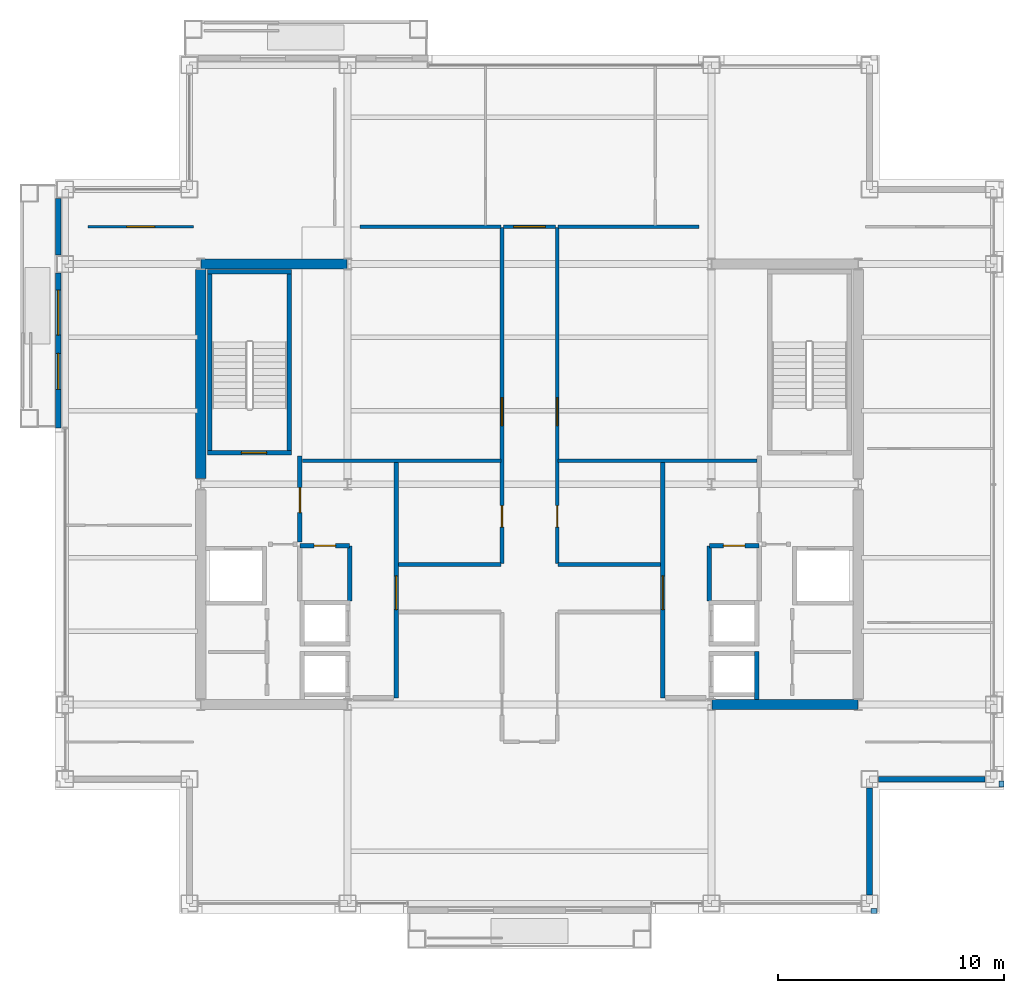
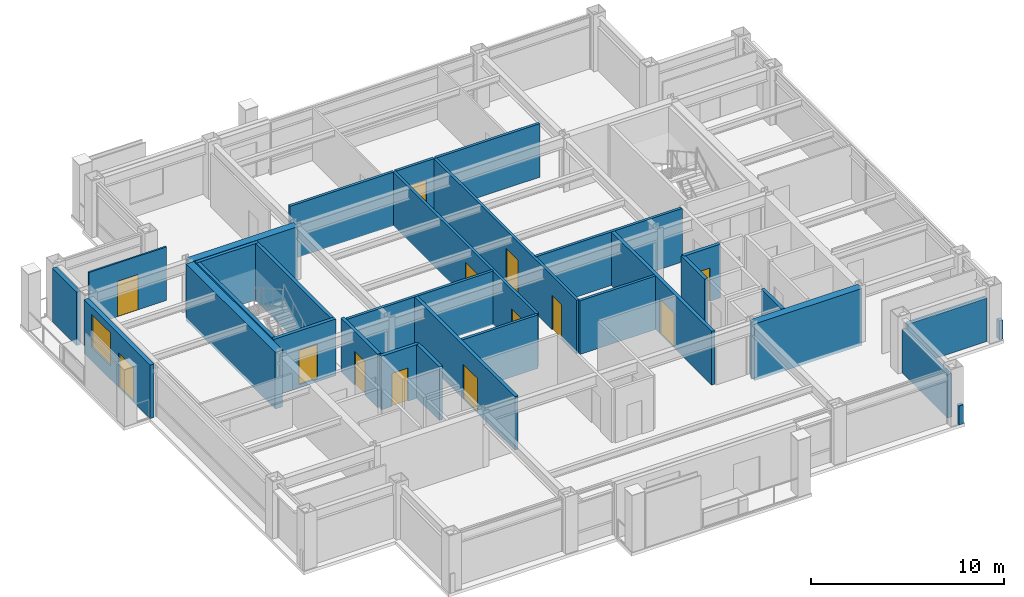
# One storey, part 24 of 28: 31 walls, 13 doors, 1 window, 14 openings.
"""IFC4 building model written with IfcOpenShell, lengths in metres."""

import ifcopenshell
import ifcopenshell.guid

model = None  # the IFC model being written
_history = None  # IfcOwnerHistory: only IFC2X3 demands one
_inside = {}  # id of a spatial element -> (the spatial element, [elements in it])
_under = {}  # id of a project, library or spatial element -> (it, [spatial elements below it])
_declared = {}  # id of a project -> (the project, [libraries it declares])
_typed = {}  # id of a type object -> (the type object, [elements of that type])
_made_of = {}  # id of a material, layer set ... -> (it, [elements and type objects made of it])


def new_model(schema):
    """Start an empty IFC model of exactly this schema.

    Asked for "IFC4X3", IfcOpenShell would pick the latest addendum, in which some entities
    have other attributes; the version numbers below select the first issue.
    IFC2X3 requires an IfcOwnerHistory on every rooted entity: one is made here for all.
    """
    global model, _history
    if schema == "IFC4X3":
        model = ifcopenshell.file(schema_version=(4, 3, 0, 0))
    else:
        model = ifcopenshell.file(schema=schema)
    _inside.clear()
    _under.clear()
    _declared.clear()
    _typed.clear()
    _made_of.clear()
    _history = None
    if model.schema == "IFC2X3":
        org = make("IfcOrganization", Name="unknown")
        user = make(
            "IfcPersonAndOrganization",
            ThePerson=make("IfcPerson", FamilyName="unknown"),
            TheOrganization=org,
        )
        app = make(
            "IfcApplication",
            ApplicationDeveloper=org,
            Version="unknown",
            ApplicationFullName="unknown",
            ApplicationIdentifier="unknown",
        )
        _history = make(
            "IfcOwnerHistory",
            OwningUser=user,
            OwningApplication=app,
            ChangeAction="ADDED",
            CreationDate=0,
        )
    return model


def make(cls, **values):
    """One entity of the class cls with the attributes given. An attribute that is None is left unset."""
    return model.create_entity(
        cls, **{name: value for name, value in values.items() if value is not None}
    )


def rooted(cls, **values):
    """An entity with a GlobalId (a new one), such as an element, a storey or a relation."""
    return make(cls, GlobalId=ifcopenshell.guid.new(), OwnerHistory=_history, **values)


def si_unit(unit_type, name, prefix=None):
    """IfcSIUnit, for example si_unit("LENGTHUNIT", "METRE", prefix="MILLI")."""
    return make("IfcSIUnit", UnitType=unit_type, Prefix=prefix, Name=name)


def assignment(units):
    """IfcUnitAssignment: the units of a project."""
    return None if units is None else make("IfcUnitAssignment", Units=units)


def point(xyz):
    """IfcCartesianPoint."""
    return None if xyz is None else make("IfcCartesianPoint", Coordinates=xyz)


def direction(xyz):
    """IfcDirection."""
    return None if xyz is None else make("IfcDirection", DirectionRatios=xyz)


def frame(location, z_axis=None, x_axis=None):
    """IfcAxis2Placement3D, a coordinate frame: its origin and axes. An axis left out is left unset."""
    return make(
        "IfcAxis2Placement3D",
        Location=point(location),
        Axis=direction(z_axis),
        RefDirection=direction(x_axis),
    )


def frame_2d(location, x_axis=None):
    """IfcAxis2Placement2D, a coordinate frame in the plane: its origin and x axis."""
    return make(
        "IfcAxis2Placement2D", Location=point(location), RefDirection=direction(x_axis)
    )


def origin():
    """The frame at (0, 0, 0) with its axes left unset."""
    return frame((0.0, 0.0, 0.0))


def place(relative_to, where):
    """IfcLocalPlacement: puts the frame where relative to a parent placement (None: the world)."""
    return make(
        "IfcLocalPlacement", PlacementRelTo=relative_to, RelativePlacement=where
    )


def context(
    kind, dimensions, precision=None, world=None, true_north=None, identifier=None
):
    """IfcGeometricRepresentationContext, for example the 3D "Model" context."""
    return make(
        "IfcGeometricRepresentationContext",
        ContextIdentifier=identifier,
        ContextType=kind,
        CoordinateSpaceDimension=dimensions,
        Precision=precision,
        WorldCoordinateSystem=world,
        TrueNorth=true_north,
    )


def subcontext(parent, identifier, kind, view, scale=None):
    """IfcGeometricRepresentationSubContext, for example "Body" below "Model"."""
    return make(
        "IfcGeometricRepresentationSubContext",
        ContextIdentifier=identifier,
        ContextType=kind,
        ParentContext=parent,
        TargetScale=scale,
        TargetView=view,
    )


def project(units=None, contexts=None):
    """IfcProject with its units and contexts."""
    return rooted(
        "IfcProject",
        Name="project",
        RepresentationContexts=contexts,
        UnitsInContext=assignment(units),
    )


def spatial(cls, under=None, at=None, **own):
    """A site, building, storey or space (cls), placed at a placement, below another one or the project."""
    s = rooted(cls, ObjectPlacement=at, **own)
    if under is not None:
        _under.setdefault(under.id(), (under, []))[1].append(s)
    return s


def profile(cls, at=None, kind="AREA", **sizes):
    """A parametric profile (cls). Its sizes go by their IFC names, for example OverallWidth=200.0."""
    return make(cls, ProfileType=kind, Position=at, **sizes)


def rectangle(**sizes):
    """IfcRectangleProfileDef."""
    return profile("IfcRectangleProfileDef", **sizes)


def extrude(swept, where, along, depth):
    """IfcExtrudedAreaSolid: the profile swept, set in the frame where, extruded along a direction by depth."""
    return make(
        "IfcExtrudedAreaSolid",
        SweptArea=swept,
        Position=where,
        ExtrudedDirection=direction(along),
        Depth=depth,
    )


def shape(context_of_items, identifier, shape_type, items):
    """IfcShapeRepresentation: the items that make up one representation, for example the "Body"."""
    return make(
        "IfcShapeRepresentation",
        ContextOfItems=context_of_items,
        RepresentationIdentifier=identifier,
        RepresentationType=shape_type,
        Items=items,
    )


def material(Name=None, Category=None):
    """IfcMaterial."""
    return make("IfcMaterial", Name=Name, Category=Category)


def layer(
    of_material, thickness, ventilated=None, Name=None, Category=None, Priority=None
):
    """IfcMaterialLayer: one layer of a wall or slab, of a material (None: an air gap)."""
    return make(
        "IfcMaterialLayer",
        Material=of_material,
        LayerThickness=thickness,
        IsVentilated=ventilated,
        Name=Name,
        Category=Category,
        Priority=Priority,
    )


def layer_set(layers, Name=None):
    """IfcMaterialLayerSet."""
    return make("IfcMaterialLayerSet", MaterialLayers=layers, LayerSetName=Name)


def made_of(thing, what):
    """Note that an element or type object is made of a material, layer set ...; save() writes the relation."""
    if what is not None:
        _made_of.setdefault(what.id(), (what, []))[1].append(thing)
    return thing


def type_object(cls, material=None, **own):
    """A type object (cls), such as IfcWallType, which elements share."""
    return made_of(rooted(cls, **own), material)


def element(
    cls,
    number,
    at=None,
    inside=None,
    cuts=None,
    type_object=None,
    material=None,
    context=None,
    identifier="Body",
    shape_type=None,
    held_by="IfcProductDefinitionShape",
    body=None,
    shapes=None,
    **own,
):
    """One element of the class cls, such as IfcWall. Its Tag is "e" and its number.

    at: its placement. inside: the storey or other place that contains it. cuts: it is an
    opening in that element (IfcRelVoidsElement). A single representation is given by context,
    identifier, shape_type and body (its items); several are given by shapes. held_by: the class
    of the entity that holds the representations. save() writes the other relations.
    """
    e = rooted(cls, Tag="e%d" % number, ObjectPlacement=at, **own)
    if body is not None:
        shapes = [shape(context, identifier, shape_type, body)]
    if shapes is not None:
        e.Representation = make(held_by, Representations=shapes)
    if inside is not None:
        _inside.setdefault(inside.id(), (inside, []))[1].append(e)
    if cuts is not None:
        rooted(
            "IfcRelVoidsElement", RelatingBuildingElement=cuts, RelatedOpeningElement=e
        )
    if type_object is not None:
        _typed.setdefault(type_object.id(), (type_object, []))[1].append(e)
    return made_of(e, material)


def fill(opening, filler):
    """IfcRelFillsElement: the door or window that sits in an opening."""
    return rooted(
        "IfcRelFillsElement",
        RelatingOpeningElement=opening,
        RelatedBuildingElement=filler,
    )


def aggregate(whole, parts):
    """IfcRelAggregates: a whole, such as a stair, and the parts it consists of."""
    return rooted("IfcRelAggregates", RelatingObject=whole, RelatedObjects=parts)


def save(model, path):
    """Write the relations noted so far, then the file.

    IfcRelAggregates (storeys below a building ...), IfcRelContainedInSpatialStructure (elements
    in a storey), IfcRelDefinesByType, IfcRelAssociatesMaterial and IfcRelDeclares: one each for
    every whole, place, type object, material and project.
    """
    for whole, parts in _under.values():
        aggregate(whole, parts)
    for where, things in _inside.values():
        rooted(
            "IfcRelContainedInSpatialStructure",
            RelatedElements=things,
            RelatingStructure=where,
        )
    for kind, things in _typed.values():
        rooted("IfcRelDefinesByType", RelatedObjects=things, RelatingType=kind)
    for what, things in _made_of.values():
        rooted("IfcRelAssociatesMaterial", RelatedObjects=things, RelatingMaterial=what)
    for by, libraries in _declared.values():
        rooted("IfcRelDeclares", RelatingContext=by, RelatedDefinitions=libraries)
    model.write(path)


model = new_model("IFC4")

# Units and contexts
model_context = context("Model", 3, precision=1e-05, world=origin(), true_north=direction((0.0, 1.0)))
body_context = subcontext(model_context, "Body", "Model", "MODEL_VIEW")
ifc_project = project(units=[si_unit("LENGTHUNIT", "METRE"), si_unit("AREAUNIT", "SQUARE_METRE"), si_unit("VOLUMEUNIT", "CUBIC_METRE"), si_unit("PLANEANGLEUNIT", "RADIAN"), si_unit("MASSUNIT", "GRAM", prefix="KILO")], contexts=[model_context])

# Site, building, storey
site_placement = place(None, origin())
site = spatial("IfcSite", under=ifc_project, at=site_placement, CompositionType="ELEMENT")
building_placement = place(site_placement, origin())
building = spatial("IfcBuilding", under=site, at=building_placement, Name="Brelmoor Portico Tower", CompositionType="ELEMENT")
storey_placement = place(building_placement, frame((0.0, 0.0, 165.89990234375)))
storey = spatial("IfcBuildingStorey", under=building, at=storey_placement, Name="L43", CompositionType="ELEMENT", Elevation=165.89990234375)

# Walls
ifc_material_1 = material(Name="Concrete C50", Category="concrete")
ifc_layer_1 = layer(ifc_material_1, 0.449951171875)
ifc_layer_set_1 = layer_set([ifc_layer_1], Name="Concrete C50")
wall_type_1 = type_object("IfcWallType", Name="WL-CORE-450", PredefinedType="SHEAR", material=ifc_layer_set_1)
wall_1_placement = place(storey_placement, frame((-14.530029296875, 9.75, -0.199951171875), z_axis=(0.0, 0.0, 1.0), x_axis=(1.0, 0.0, 0.0)))
element("IfcWall", 1, at=wall_1_placement, inside=storey, type_object=wall_type_1, Name="L43 WC North Shear Wall", PredefinedType="SHEAR", context=body_context, shape_type="SweptSolid", body=[
    extrude(rectangle(XDim=6.4599609375, YDim=0.449951171875, at=frame_2d((3.22998046875, 0.0))), origin(), (0.0, 0.0, 1.0), 3.60009765625),
])
wall_2_placement = place(storey_placement, frame((-14.550048828125, 0.25, -0.199951171875), z_axis=(0.0, 0.0, 1.0), x_axis=(0.0, 1.0, 0.0)))
element("IfcWall", 2, at=wall_2_placement, inside=storey, type_object=wall_type_1, Name="L43 WC Outer North Shear Wall", PredefinedType="SHEAR", context=body_context, shape_type="SweptSolid", body=[
    extrude(rectangle(XDim=9.25, YDim=0.449951171875, at=frame_2d((4.625, 0.0))), origin(), (0.0, 0.0, 1.0), 3.60009765625),
])
wall_3_placement = place(storey_placement, frame((8.070068359375, -9.75, -0.199951171875), z_axis=(0.0, 0.0, 1.0), x_axis=(1.0, 0.0, 0.0)))
element("IfcWall", 3, at=wall_3_placement, inside=storey, type_object=wall_type_1, Name="L43 EC South Shear Wall", PredefinedType="SHEAR", context=body_context, shape_type="SweptSolid", body=[
    extrude(rectangle(XDim=6.4599609375, YDim=0.449951171875, at=frame_2d((3.22998046875, 0.0))), origin(), (0.0, 0.0, 1.0), 3.60009765625),
])

# Wall, openings, door, window
ifc_material_2 = material(Name="Precast Concrete C40 Insulated Facade Wall", Category="concrete")
ifc_layer_2 = layer(ifc_material_2, 0.25)
ifc_layer_set_2 = layer_set([ifc_layer_2], Name="Precast Concrete C40 Insulated Facade Wall")
wall_type_2 = type_object("IfcWallType", Name="WL-EXT-250", PredefinedType="STANDARD", material=ifc_layer_set_2)
wall_4_placement = place(storey_placement, frame((-20.860107421875, 2.5, 0.0), z_axis=(0.0, 0.0, 1.0), x_axis=(0.0, 1.0, 0.0)))
wall_4 = element("IfcWall", 4, at=wall_4_placement, inside=storey, type_object=wall_type_2, Name="L43 Loggia Threshold Wall W-1", PredefinedType="STANDARD", context=body_context, shape_type="SweptSolid", body=[
    extrude(rectangle(XDim=6.85498046875, YDim=0.25, at=frame_2d((3.427490234375, 0.0))), origin(), (0.0, 0.0, 1.0), 3.400146484375),
])
opening_1_placement = place(wall_4_placement, frame((1.699951171875, 0.0, 0.0)))
opening_1 = element("IfcOpeningElement", 5, at=opening_1_placement, cuts=wall_4, Name="Opening D-TB1", PredefinedType="OPENING", context=body_context, shape_type="SweptSolid", body=[
    extrude(rectangle(XDim=1.60009765625, YDim=2.199951171875, at=frame_2d((0.800048828125, 1.10009765625))), frame((0.0, 0.135009765625, 0.0), z_axis=(0.0, -1.0, 0.0), x_axis=(1.0, 0.0, 0.0)), (0.0, 0.0, 1.0), 0.27001953125),
])
opening_2_placement = place(wall_4_placement, frame((4.10009765625, 0.0, 0.85009765625)))
opening_2 = element("IfcOpeningElement", 6, at=opening_2_placement, cuts=wall_4, Name="Opening W-03", PredefinedType="OPENING", context=body_context, shape_type="SweptSolid", body=[
    extrude(rectangle(XDim=2.0, YDim=2.10009765625, at=frame_2d((1.0, 1.050048828125))), frame((0.0, 0.135009765625, 0.0), z_axis=(0.0, -1.0, 0.0), x_axis=(1.0, 0.0, 0.0)), (0.0, 0.0, 1.0), 0.27001953125),
])
ifc_material_3 = material(Name="Double-Leaf Thermally Broken Terrace Door", Category="aluminium")
door_type_1 = type_object("IfcDoorType", Name="DR-BALCONY-1600", OperationType="NOTDEFINED", PredefinedType="DOOR", material=ifc_material_3)
door_1_placement = place(opening_1_placement, origin())
door_1 = element("IfcDoor", 7, at=door_1_placement, inside=storey, type_object=door_type_1, Name="D-1852 L43 Tree Balcony Double Door W", OperationType="DOUBLE_DOOR_SINGLE_SWING", OverallHeight=2.199951171875, OverallWidth=1.60009765625, PredefinedType="DOOR", context=body_context, shape_type="SweptSolid", body=[
    extrude(rectangle(XDim=1.60009765625, YDim=2.199951171875, at=frame_2d((0.800048828125, 1.10009765625))), frame((0.0, 0.02490234375, 0.0), z_axis=(0.0, -1.0, 0.0), x_axis=(1.0, 0.0, 0.0)), (0.0, 0.0, 1.0), 0.050048828125),
])
fill(opening_1, door_1)
ifc_material_4 = material(Name="Thermally Broken Aluminium Low-E Window", Category="aluminium")
window_type = type_object("IfcWindowType", Name="WN-LOGGIA-2000x2100", PartitioningType="SINGLE_PANEL", PredefinedType="WINDOW", material=ifc_material_4)
window_placement = place(opening_2_placement, origin())
window = element("IfcWindow", 8, at=window_placement, inside=storey, type_object=window_type, Name="L43 Loggia Window W", OverallHeight=2.10009765625, OverallWidth=2.0, PartitioningType="SINGLE_PANEL", PredefinedType="WINDOW", context=body_context, shape_type="SweptSolid", body=[
    extrude(rectangle(XDim=2.0, YDim=2.10009765625, at=frame_2d((1.0, 1.050048828125))), frame((0.0, 0.030029296875, 0.0), z_axis=(0.0, -1.0, 0.0), x_axis=(1.0, 0.0, 0.0)), (0.0, 0.0, 1.0), 0.06005859375),
])
fill(opening_2, window)

# Walls
wall_5_placement = place(storey_placement, frame((-20.860107421875, 10.14501953125, 0.0), z_axis=(0.0, 0.0, 1.0), x_axis=(0.0, 1.0, 0.0)))
element("IfcWall", 9, at=wall_5_placement, inside=storey, type_object=wall_type_2, Name="L43 Loggia Threshold Wall W-2", PredefinedType="STANDARD", context=body_context, shape_type="SweptSolid", body=[
    extrude(rectangle(XDim=2.510009765625, YDim=0.25, at=frame_2d((1.2548828125, 0.0))), origin(), (0.0, 0.0, 1.0), 3.400146484375),
])
for number, where, z_axis, x_axis, name in (
    (10, (15.43505859375, -13.050048828125, 0.0), (0.0, 0.0, 1.0), (1.0, 0.0, 0.0), "L43 Corner Notch Facade Wall NSEH1"),
    (11, (15.050048828125, -18.1650390625, 0.0), (0.0, 0.0, 1.0), (0.0, 1.0, 0.0), "L43 Corner Notch Facade Wall NSEV1"),
):
    element("IfcWall", number, at=place(storey_placement, frame(where, z_axis=z_axis, x_axis=x_axis)), inside=storey, type_object=wall_type_2, Name=name, PredefinedType="STANDARD", context=body_context, shape_type="SweptSolid", body=[
        extrude(rectangle(XDim=4.72998046875, YDim=0.25, at=frame_2d((2.364990234375, 0.0))), origin(), (0.0, 0.0, 1.0), 2.75),
    ])
ifc_material_5 = material(Name="Concrete C40 Parapet Upstand", Category="concrete")
ifc_layer_3 = layer(ifc_material_5, 0.219970703125)
ifc_layer_set_3 = layer_set([ifc_layer_3], Name="Concrete C40 Parapet Upstand")
wall_type_3 = type_object("IfcWallType", Name="WL-PARAPET-220", PredefinedType="PARAPET", material=ifc_layer_set_3)
for number, where, z_axis, x_axis, name in (
    (12, (15.1201171875, -18.889892578125, 0.0), (0.0, 0.0, 1.0), (1.0, 0.0, 0.0), "L43 Chamfer Vertex Parapet Pier SE1"),
    (13, (20.889892578125, -13.389892578125, 0.0), (0.0, 0.0, 1.0), (0.0, 1.0, 0.0), "L43 Chamfer Vertex Parapet Pier SE2"),
):
    element("IfcWall", number, at=place(storey_placement, frame(where, z_axis=z_axis, x_axis=x_axis)), inside=storey, type_object=wall_type_3, Name=name, PredefinedType="PARAPET", context=body_context, shape_type="SweptSolid", body=[
        extrude(rectangle(XDim=0.269775390625, YDim=0.219970703125, at=frame_2d((0.134765625, 0.0))), origin(), (0.0, 0.0, 1.0), 1.2001953125),
    ])

# Wall, opening, door
ifc_material_6 = material(Name="Demountable Glazed Office Partition", Category="aluminium")
ifc_layer_4 = layer(ifc_material_6, 0.10009765625)
ifc_layer_set_4 = layer_set([ifc_layer_4], Name="Demountable Glazed Office Partition")
wall_type_4 = type_object("IfcWallType", Name="WL-PART-100", PredefinedType="PARTITIONING", material=ifc_layer_set_4)
wall_6_placement = place(storey_placement, frame((-19.550048828125, 11.39990234375, 0.0), z_axis=(0.0, 0.0, 1.0), x_axis=(1.0, 0.0, 0.0)))
wall_6 = element("IfcWall", 14, at=wall_6_placement, inside=storey, type_object=wall_type_4, Name="L43 North Wing Suite Wall WL", PredefinedType="PARTITIONING", context=body_context, shape_type="SweptSolid", body=[
    extrude(rectangle(XDim=4.670166015625, YDim=0.10009765625, at=frame_2d((2.3349609375, 0.0))), origin(), (0.0, 0.0, 1.0), 3.400146484375),
])
opening_3_placement = place(wall_6_placement, frame((1.715087890625, 0.0, 0.0)))
opening_3 = element("IfcOpeningElement", 15, at=opening_3_placement, cuts=wall_6, Name="Opening D-SU1", PredefinedType="OPENING", context=body_context, shape_type="SweptSolid", body=[
    extrude(rectangle(XDim=1.239990234375, YDim=2.239990234375, at=frame_2d((0.6201171875, 1.1201171875))), frame((0.0, 0.06005859375, 0.0), z_axis=(0.0, -1.0, 0.0), x_axis=(1.0, 0.0, 0.0)), (0.0, 0.0, 1.0), 0.1201171875),
])
ifc_material_7 = material(Name="Glazed Timber Executive Suite Door", Category="wood")
door_type_2 = type_object("IfcDoorType", Name="DR-SUITE-1200", OperationType="NOTDEFINED", PredefinedType="DOOR", material=ifc_material_7)
door_2_placement = place(opening_3_placement, origin())
door_2 = element("IfcDoor", 16, at=door_2_placement, inside=storey, type_object=door_type_2, Name="D-1844 L43 WL Wing Suite Connecting Door", OperationType="SINGLE_SWING_RIGHT", OverallHeight=2.239990234375, OverallWidth=1.239990234375, PredefinedType="DOOR", context=body_context, shape_type="SweptSolid", body=[
    extrude(rectangle(XDim=1.239990234375, YDim=2.239990234375, at=frame_2d((0.6201171875, 1.1201171875))), frame((0.0, 0.02490234375, 0.0), z_axis=(0.0, -1.0, 0.0), x_axis=(1.0, 0.0, 0.0)), (0.0, 0.0, 1.0), 0.050048828125),
])
fill(opening_3, door_2)

# Wall
ifc_material_8 = material(Name="Twin-Frame Acoustic Partition", Category="gypsum")
ifc_layer_5 = layer(ifc_material_8, 0.159912109375)
ifc_layer_set_5 = layer_set([ifc_layer_5], Name="Twin-Frame Acoustic Partition")
wall_type_5 = type_object("IfcWallType", Name="WL-PART-160", PredefinedType="PARTITIONING", material=ifc_layer_set_5)
wall_7_placement = place(storey_placement, frame((-10.050048828125, 1.050048828125, 0.0), z_axis=(0.0, 0.0, 1.0), x_axis=(1.0, 0.0, 0.0)))
element("IfcWall", 17, at=wall_7_placement, inside=storey, type_object=wall_type_5, Name="L43 West Reclaimed Suite South Wall", PredefinedType="PARTITIONING", context=body_context, shape_type="SweptSolid", body=[
    extrude(rectangle(XDim=8.7900390625, YDim=0.159912109375, at=frame_2d((4.39501953125, 0.0))), origin(), (0.0, 0.0, 1.0), 3.400146484375),
])

# Wall, openings, doors
wall_8_placement = place(storey_placement, frame((-1.219970703125, -3.5, 0.0), z_axis=(0.0, 0.0, 1.0), x_axis=(0.0, 1.0, 0.0)))
wall_8 = element("IfcWall", 18, at=wall_8_placement, inside=storey, type_object=wall_type_5, Name="L43 Central Cross West Wall", PredefinedType="PARTITIONING", context=body_context, shape_type="SweptSolid", body=[
    extrude(rectangle(XDim=14.860107421875, YDim=0.159912109375, at=frame_2d((7.43017578125, 0.0))), origin(), (0.0, 0.0, 1.0), 3.400146484375),
])
opening_4_placement = place(wall_8_placement, frame((6.10009765625, 0.0, 0.0)))
opening_4 = element("IfcOpeningElement", 19, at=opening_4_placement, cuts=wall_8, Name="Opening D-SU1", PredefinedType="OPENING", context=body_context, shape_type="SweptSolid", body=[
    extrude(rectangle(XDim=1.239990234375, YDim=2.239990234375, at=frame_2d((0.6201171875, 1.1201171875))), frame((0.0, 0.08984375, 0.0), z_axis=(0.0, -1.0, 0.0), x_axis=(1.0, 0.0, 0.0)), (0.0, 0.0, 1.0), 0.179931640625),
])
opening_5_placement = place(wall_8_placement, frame((1.60009765625, 0.0, 0.0)))
opening_5 = element("IfcOpeningElement", 20, at=opening_5_placement, cuts=wall_8, Name="Opening D-IN2", PredefinedType="OPENING", context=body_context, shape_type="SweptSolid", body=[
    extrude(rectangle(XDim=0.9599609375, YDim=2.179931640625, at=frame_2d((0.47998046875, 1.08984375))), frame((0.0, 0.08984375, 0.0), z_axis=(0.0, -1.0, 0.0), x_axis=(1.0, 0.0, 0.0)), (0.0, 0.0, 1.0), 0.179931640625),
])
ifc_material_9 = material(Name="Lacquered Timber Suite Door", Category="wood")
door_type_3 = type_object("IfcDoorType", Name="DR-INT-950", OperationType="NOTDEFINED", PredefinedType="DOOR", material=ifc_material_9)
door_3_placement = place(opening_5_placement, origin())
door_3 = element("IfcDoor", 21, at=door_3_placement, inside=storey, type_object=door_type_3, Name="D-1825 L43 Staff Pantry Door", OperationType="SINGLE_SWING_RIGHT", OverallHeight=2.179931640625, OverallWidth=0.9599609375, PredefinedType="DOOR", context=body_context, shape_type="SweptSolid", body=[
    extrude(rectangle(XDim=0.9599609375, YDim=2.179931640625, at=frame_2d((0.47998046875, 1.08984375))), frame((0.0, 0.02490234375, 0.0), z_axis=(0.0, -1.0, 0.0), x_axis=(1.0, 0.0, 0.0)), (0.0, 0.0, 1.0), 0.050048828125),
])
fill(opening_5, door_3)
door_4_placement = place(opening_4_placement, origin())
door_4 = element("IfcDoor", 22, at=door_4_placement, inside=storey, type_object=door_type_2, Name="D-1826 L43 West Reclaimed Studio Door", OperationType="SINGLE_SWING_LEFT", OverallHeight=2.239990234375, OverallWidth=1.239990234375, PredefinedType="DOOR", context=body_context, shape_type="SweptSolid", body=[
    extrude(rectangle(XDim=1.239990234375, YDim=2.239990234375, at=frame_2d((0.6201171875, 1.1201171875))), frame((0.0, 0.02490234375, 0.0), z_axis=(0.0, -1.0, 0.0), x_axis=(1.0, 0.0, 0.0)), (0.0, 0.0, 1.0), 0.050048828125),
])
fill(opening_4, door_4)

# Walls
wall_9_placement = place(storey_placement, frame((-7.5, 11.39990234375, 0.0), z_axis=(0.0, 0.0, 1.0), x_axis=(1.0, 0.0, 0.0)))
element("IfcWall", 23, at=wall_9_placement, inside=storey, type_object=wall_type_5, Name="L43 West Reclaimed Suite North Wall", PredefinedType="PARTITIONING", context=body_context, shape_type="SweptSolid", body=[
    extrude(rectangle(XDim=6.239990234375, YDim=0.159912109375, at=frame_2d((3.1201171875, 0.0))), origin(), (0.0, 0.0, 1.0), 3.400146484375),
])
wall_10_placement = place(storey_placement, frame((-5.800048828125, -3.550048828125, 0.0), z_axis=(0.0, 0.0, 1.0), x_axis=(1.0, 0.0, 0.0)))
element("IfcWall", 24, at=wall_10_placement, inside=storey, type_object=wall_type_5, Name="L43 West Pantry South Wall", PredefinedType="PARTITIONING", context=body_context, shape_type="SweptSolid", body=[
    extrude(rectangle(XDim=4.5400390625, YDim=0.159912109375, at=frame_2d((2.27001953125, 0.0))), origin(), (0.0, 0.0, 1.0), 3.400146484375),
])
wall_11_placement = place(storey_placement, frame((1.260009765625, 1.050048828125, 0.0), z_axis=(0.0, 0.0, 1.0), x_axis=(1.0, 0.0, 0.0)))
element("IfcWall", 25, at=wall_11_placement, inside=storey, type_object=wall_type_5, Name="L43 East Suite South Wall", PredefinedType="PARTITIONING", context=body_context, shape_type="SweptSolid", body=[
    extrude(rectangle(XDim=8.800048828125, YDim=0.159912109375, at=frame_2d((4.39990234375, 0.0))), origin(), (0.0, 0.0, 1.0), 3.400146484375),
])

# Wall, openings, doors
wall_12_placement = place(storey_placement, frame((1.219970703125, -3.5, 0.0), z_axis=(0.0, 0.0, 1.0), x_axis=(0.0, 1.0, 0.0)))
wall_12 = element("IfcWall", 26, at=wall_12_placement, inside=storey, type_object=wall_type_5, Name="L43 Central Cross East Wall", PredefinedType="PARTITIONING", context=body_context, shape_type="SweptSolid", body=[
    extrude(rectangle(XDim=14.860107421875, YDim=0.159912109375, at=frame_2d((7.43017578125, 0.0))), origin(), (0.0, 0.0, 1.0), 3.400146484375),
])
opening_6_placement = place(wall_12_placement, frame((6.10009765625, 0.0, 0.0)))
opening_6 = element("IfcOpeningElement", 27, at=opening_6_placement, cuts=wall_12, Name="Opening D-SU1", PredefinedType="OPENING", context=body_context, shape_type="SweptSolid", body=[
    extrude(rectangle(XDim=1.239990234375, YDim=2.239990234375, at=frame_2d((0.6201171875, 1.1201171875))), frame((0.0, 0.08984375, 0.0), z_axis=(0.0, -1.0, 0.0), x_axis=(1.0, 0.0, 0.0)), (0.0, 0.0, 1.0), 0.179931640625),
])
opening_7_placement = place(wall_12_placement, frame((1.60009765625, 0.0, 0.0)))
opening_7 = element("IfcOpeningElement", 28, at=opening_7_placement, cuts=wall_12, Name="Opening D-IN2", PredefinedType="OPENING", context=body_context, shape_type="SweptSolid", body=[
    extrude(rectangle(XDim=0.9599609375, YDim=2.179931640625, at=frame_2d((0.47998046875, 1.08984375))), frame((0.0, 0.08984375, 0.0), z_axis=(0.0, -1.0, 0.0), x_axis=(1.0, 0.0, 0.0)), (0.0, 0.0, 1.0), 0.179931640625),
])
door_5_placement = place(opening_7_placement, origin())
door_5 = element("IfcDoor", 29, at=door_5_placement, inside=storey, type_object=door_type_3, Name="D-1821 L43 Client Project Office Door", OperationType="SINGLE_SWING_RIGHT", OverallHeight=2.179931640625, OverallWidth=0.9599609375, PredefinedType="DOOR", context=body_context, shape_type="SweptSolid", body=[
    extrude(rectangle(XDim=0.9599609375, YDim=2.179931640625, at=frame_2d((0.47998046875, 1.08984375))), frame((0.0, 0.02490234375, 0.0), z_axis=(0.0, -1.0, 0.0), x_axis=(1.0, 0.0, 0.0)), (0.0, 0.0, 1.0), 0.050048828125),
])
fill(opening_7, door_5)
door_6_placement = place(opening_6_placement, origin())
door_6 = element("IfcDoor", 30, at=door_6_placement, inside=storey, type_object=door_type_2, Name="D-1822 L43 East Reclaimed Studio Door", OperationType="SINGLE_SWING_LEFT", OverallHeight=2.239990234375, OverallWidth=1.239990234375, PredefinedType="DOOR", context=body_context, shape_type="SweptSolid", body=[
    extrude(rectangle(XDim=1.239990234375, YDim=2.239990234375, at=frame_2d((0.6201171875, 1.1201171875))), frame((0.0, 0.02490234375, 0.0), z_axis=(0.0, -1.0, 0.0), x_axis=(1.0, 0.0, 0.0)), (0.0, 0.0, 1.0), 0.050048828125),
])
fill(opening_6, door_6)

# Walls
wall_13_placement = place(storey_placement, frame((1.260009765625, 11.39990234375, 0.0), z_axis=(0.0, 0.0, 1.0), x_axis=(1.0, 0.0, 0.0)))
element("IfcWall", 31, at=wall_13_placement, inside=storey, type_object=wall_type_5, Name="L43 East Suite North Wall", PredefinedType="PARTITIONING", context=body_context, shape_type="SweptSolid", body=[
    extrude(rectangle(XDim=6.239990234375, YDim=0.159912109375, at=frame_2d((3.1201171875, 0.0))), origin(), (0.0, 0.0, 1.0), 3.400146484375),
])
wall_14_placement = place(storey_placement, frame((1.260009765625, -3.550048828125, 0.0), z_axis=(0.0, 0.0, 1.0), x_axis=(1.0, 0.0, 0.0)))
element("IfcWall", 32, at=wall_14_placement, inside=storey, type_object=wall_type_5, Name="L43 East Office South Wall", PredefinedType="PARTITIONING", context=body_context, shape_type="SweptSolid", body=[
    extrude(rectangle(XDim=4.5400390625, YDim=0.159912109375, at=frame_2d((2.27001953125, 0.0))), origin(), (0.0, 0.0, 1.0), 3.400146484375),
])

# Wall, opening, door
wall_15_placement = place(storey_placement, frame((-1.14990234375, 11.39990234375, 0.0), z_axis=(0.0, 0.0, 1.0), x_axis=(1.0, 0.0, 0.0)))
wall_15 = element("IfcWall", 33, at=wall_15_placement, inside=storey, type_object=wall_type_5, Name="L43 North Corridor Partition", PredefinedType="PARTITIONING", context=body_context, shape_type="SweptSolid", body=[
    extrude(rectangle(XDim=2.2998046875, YDim=0.159912109375, at=frame_2d((1.14990234375, 0.0))), origin(), (0.0, 0.0, 1.0), 3.400146484375),
])
opening_8_placement = place(wall_15_placement, frame((0.449951171875, 0.0, 0.0)))
opening_8 = element("IfcOpeningElement", 34, at=opening_8_placement, cuts=wall_15, Name="Opening D-SU2", PredefinedType="OPENING", context=body_context, shape_type="SweptSolid", body=[
    extrude(rectangle(XDim=1.39990234375, YDim=2.199951171875, at=frame_2d((0.699951171875, 1.10009765625))), frame((0.0, 0.08984375, 0.0), z_axis=(0.0, -1.0, 0.0), x_axis=(1.0, 0.0, 0.0)), (0.0, 0.0, 1.0), 0.179931640625),
])
ifc_material_10 = material(Name="Double-Leaf Acoustic Suite Door", Category="timber")
door_type_4 = type_object("IfcDoorType", Name="DR-SUITE-1400", OperationType="NOTDEFINED", PredefinedType="DOOR", material=ifc_material_10)
door_7_placement = place(opening_8_placement, origin())
door_7 = element("IfcDoor", 35, at=door_7_placement, inside=storey, type_object=door_type_4, Name="D-1839 L43 North Open-Plan Office 3 Door", OperationType="DOUBLE_DOOR_SINGLE_SWING", OverallHeight=2.199951171875, OverallWidth=1.39990234375, PredefinedType="DOOR", context=body_context, shape_type="SweptSolid", body=[
    extrude(rectangle(XDim=1.39990234375, YDim=2.199951171875, at=frame_2d((0.699951171875, 1.10009765625))), frame((0.0, 0.02490234375, 0.0), z_axis=(0.0, -1.0, 0.0), x_axis=(1.0, 0.0, 0.0)), (0.0, 0.0, 1.0), 0.050048828125),
])
fill(opening_8, door_7)

ifc_material_11 = material(Name="Double-Stud Gypsum Fire Partition", Category="gypsum")
ifc_layer_6 = layer(ifc_material_11, 0.199951171875)
ifc_layer_set_6 = layer_set([ifc_layer_6], Name="Double-Stud Gypsum Fire Partition")
wall_type_6 = type_object("IfcWallType", Name="WL-PART-200", PredefinedType="PARTITIONING", material=ifc_layer_set_6)
wall_16_placement = place(storey_placement, frame((-5.89990234375, -9.449951171875, 0.0), z_axis=(0.0, 0.0, 1.0), x_axis=(0.0, 1.0, 0.0)))
wall_16 = element("IfcWall", 36, at=wall_16_placement, inside=storey, type_object=wall_type_6, Name="L43 W Core Lobby Compartment Wall", PredefinedType="PARTITIONING", context=body_context, shape_type="SweptSolid", body=[
    extrude(rectangle(XDim=10.5, YDim=0.199951171875, at=frame_2d((5.25, 0.0))), origin(), (0.0, 0.0, 1.0), 3.400146484375),
])
opening_9_placement = place(wall_16_placement, frame((3.89990234375, 0.0, 0.0)))
opening_9 = element("IfcOpeningElement", 37, at=opening_9_placement, cuts=wall_16, Name="Opening D-LB1", PredefinedType="OPENING", context=body_context, shape_type="SweptSolid", body=[
    extrude(rectangle(XDim=1.5, YDim=2.199951171875, at=frame_2d((0.75, 1.10009765625))), frame((0.0, 0.10986328125, 0.0), z_axis=(0.0, -1.0, 0.0), x_axis=(1.0, 0.0, 0.0)), (0.0, 0.0, 1.0), 0.219970703125),
])
ifc_material_12 = material(Name="Double-Leaf Glazed Steel Fire Door", Category="steel")
door_type_5 = type_object("IfcDoorType", Name="DR-LOBBY-1500", OperationType="NOTDEFINED", PredefinedType="DOOR", material=ifc_material_12)
door_8_placement = place(opening_9_placement, origin())
door_8 = element("IfcDoor", 38, at=door_8_placement, inside=storey, type_object=door_type_5, Name="D-1838 L43 W Lift Lobby Main Door", OperationType="DOUBLE_DOOR_SINGLE_SWING", OverallHeight=2.199951171875, OverallWidth=1.5, PredefinedType="DOOR", context=body_context, shape_type="SweptSolid", body=[
    extrude(rectangle(XDim=1.5, YDim=2.199951171875, at=frame_2d((0.75, 1.10009765625))), frame((0.0, 0.02490234375, 0.0), z_axis=(0.0, -1.0, 0.0), x_axis=(1.0, 0.0, 0.0)), (0.0, 0.0, 1.0), 0.050048828125),
])
fill(opening_9, door_8)

wall_17_placement = place(storey_placement, frame((-10.159912109375, -2.550048828125, 0.0), z_axis=(0.0, 0.0, 1.0), x_axis=(0.0, 1.0, 0.0)))
wall_17 = element("IfcWall", 39, at=wall_17_placement, inside=storey, type_object=wall_type_6, Name="L43 W Firefighting Lobby Wall", PredefinedType="PARTITIONING", context=body_context, shape_type="SweptSolid", body=[
    extrude(rectangle(XDim=3.800048828125, YDim=0.199951171875, at=frame_2d((1.89990234375, 0.0))), origin(), (0.0, 0.0, 1.0), 3.400146484375),
])
opening_10_placement = place(wall_17_placement, frame((1.300048828125, 0.0, 0.0)))
opening_10 = element("IfcOpeningElement", 40, at=opening_10_placement, cuts=wall_17, Name="Opening D-FR1", PredefinedType="OPENING", context=body_context, shape_type="SweptSolid", body=[
    extrude(rectangle(XDim=1.10009765625, YDim=2.14990234375, at=frame_2d((0.550048828125, 1.074951171875))), frame((0.0, 0.10986328125, 0.0), z_axis=(0.0, -1.0, 0.0), x_axis=(1.0, 0.0, 0.0)), (0.0, 0.0, 1.0), 0.219970703125),
])
ifc_material_13 = material(Name="Painted Galvanised Steel Fire Door", Category="steel")
door_type_6 = type_object("IfcDoorType", Name="DR-FIRE-1100", OperationType="NOTDEFINED", PredefinedType="DOOR", material=ifc_material_13)
door_9_placement = place(opening_10_placement, origin())
door_9 = element("IfcDoor", 41, at=door_9_placement, inside=storey, type_object=door_type_6, Name="D-1836 L43 W Firefighting Lobby Door", OperationType="SINGLE_SWING_LEFT", OverallHeight=2.14990234375, OverallWidth=1.10009765625, PredefinedType="DOOR", context=body_context, shape_type="SweptSolid", body=[
    extrude(rectangle(XDim=1.10009765625, YDim=2.14990234375, at=frame_2d((0.550048828125, 1.074951171875))), frame((0.0, 0.02490234375, 0.0), z_axis=(0.0, -1.0, 0.0), x_axis=(1.0, 0.0, 0.0)), (0.0, 0.0, 1.0), 0.050048828125),
])
fill(opening_10, door_9)

wall_18_placement = place(storey_placement, frame((-7.9599609375, -2.719970703125, 0.0), z_axis=(0.0, 0.0, 1.0), x_axis=(-1.0, 0.0, 0.0)))
wall_18 = element("IfcWall", 42, at=wall_18_placement, inside=storey, type_object=wall_type_6, Name="L43 W Electrical Switchgear Closet Wall", PredefinedType="PARTITIONING", context=body_context, shape_type="SweptSolid", body=[
    extrude(rectangle(XDim=2.199951171875, YDim=0.199951171875, at=frame_2d((1.10009765625, 0.0))), origin(), (0.0, 0.0, 1.0), 3.400146484375),
])
opening_11_placement = place(wall_18_placement, frame((0.6201171875, 0.0, 0.0)))
opening_11 = element("IfcOpeningElement", 43, at=opening_11_placement, cuts=wall_18, Name="Opening D-FR4", PredefinedType="OPENING", context=body_context, shape_type="SweptSolid", body=[
    extrude(rectangle(XDim=0.949951171875, YDim=2.10009765625, at=frame_2d((0.47509765625, 1.050048828125))), frame((0.0, 0.10986328125, 0.0), z_axis=(0.0, -1.0, 0.0), x_axis=(1.0, 0.0, 0.0)), (0.0, 0.0, 1.0), 0.219970703125),
])
ifc_material_14 = material(Name="Painted Galvanised Steel Riser Door", Category="steel")
door_type_7 = type_object("IfcDoorType", Name="DR-FIRE-950", OperationType="NOTDEFINED", PredefinedType="DOOR", material=ifc_material_14)
door_10_placement = place(opening_11_placement, origin())
door_10 = element("IfcDoor", 44, at=door_10_placement, inside=storey, type_object=door_type_7, Name="D-1834 L43 W Electrical Switchgear Closet Door", OperationType="SINGLE_SWING_LEFT", OverallHeight=2.10009765625, OverallWidth=0.949951171875, PredefinedType="DOOR", context=body_context, shape_type="SweptSolid", body=[
    extrude(rectangle(XDim=0.949951171875, YDim=2.10009765625, at=frame_2d((0.47509765625, 1.050048828125))), frame((0.0, 0.02490234375, 0.0), z_axis=(0.0, -1.0, 0.0), x_axis=(1.0, 0.0, 0.0)), (0.0, 0.0, 1.0), 0.050048828125),
])
fill(opening_11, door_10)

# Wall
wall_19_placement = place(storey_placement, frame((-7.9599609375, -5.159912109375, 0.0), z_axis=(0.0, 0.0, 1.0), x_axis=(0.0, 1.0, 0.0)))
element("IfcWall", 45, at=wall_19_placement, inside=storey, type_object=wall_type_6, Name="L43 W Electrical Switchgear Closet Inner Wall", PredefinedType="PARTITIONING", context=body_context, shape_type="SweptSolid", body=[
    extrude(rectangle(XDim=2.43994140625, YDim=0.199951171875, at=frame_2d((1.219970703125, 0.0))), origin(), (0.0, 0.0, 1.0), 3.400146484375),
])

# Wall, opening, door
wall_20_placement = place(storey_placement, frame((5.89990234375, -9.449951171875, 0.0), z_axis=(0.0, 0.0, 1.0), x_axis=(0.0, 1.0, 0.0)))
wall_20 = element("IfcWall", 46, at=wall_20_placement, inside=storey, type_object=wall_type_6, Name="L43 E Core Lobby Compartment Wall", PredefinedType="PARTITIONING", context=body_context, shape_type="SweptSolid", body=[
    extrude(rectangle(XDim=10.5, YDim=0.199951171875, at=frame_2d((5.25, 0.0))), origin(), (0.0, 0.0, 1.0), 3.400146484375),
])
opening_12_placement = place(wall_20_placement, frame((3.89990234375, 0.0, 0.0)))
opening_12 = element("IfcOpeningElement", 47, at=opening_12_placement, cuts=wall_20, Name="Opening D-LB1", PredefinedType="OPENING", context=body_context, shape_type="SweptSolid", body=[
    extrude(rectangle(XDim=1.5, YDim=2.199951171875, at=frame_2d((0.75, 1.10009765625))), frame((0.0, 0.10986328125, 0.0), z_axis=(0.0, -1.0, 0.0), x_axis=(1.0, 0.0, 0.0)), (0.0, 0.0, 1.0), 0.219970703125),
])
door_11_placement = place(opening_12_placement, origin())
door_11 = element("IfcDoor", 48, at=door_11_placement, inside=storey, type_object=door_type_5, Name="D-1837 L43 E Lift Lobby Main Door", OperationType="DOUBLE_DOOR_SINGLE_SWING", OverallHeight=2.199951171875, OverallWidth=1.5, PredefinedType="DOOR", context=body_context, shape_type="SweptSolid", body=[
    extrude(rectangle(XDim=1.5, YDim=2.199951171875, at=frame_2d((0.75, 1.10009765625))), frame((0.0, 0.02490234375, 0.0), z_axis=(0.0, -1.0, 0.0), x_axis=(1.0, 0.0, 0.0)), (0.0, 0.0, 1.0), 0.050048828125),
])
fill(opening_12, door_11)

wall_21_placement = place(storey_placement, frame((7.9599609375, -2.719970703125, 0.0), z_axis=(0.0, 0.0, 1.0), x_axis=(1.0, 0.0, 0.0)))
wall_21 = element("IfcWall", 49, at=wall_21_placement, inside=storey, type_object=wall_type_6, Name="L43 E Electrical Switchgear Closet Wall", PredefinedType="PARTITIONING", context=body_context, shape_type="SweptSolid", body=[
    extrude(rectangle(XDim=2.199951171875, YDim=0.199951171875, at=frame_2d((1.10009765625, 0.0))), origin(), (0.0, 0.0, 1.0), 3.400146484375),
])
opening_13_placement = place(wall_21_placement, frame((0.6201171875, 0.0, 0.0)))
opening_13 = element("IfcOpeningElement", 50, at=opening_13_placement, cuts=wall_21, Name="Opening D-FR4", PredefinedType="OPENING", context=body_context, shape_type="SweptSolid", body=[
    extrude(rectangle(XDim=0.949951171875, YDim=2.10009765625, at=frame_2d((0.47509765625, 1.050048828125))), frame((0.0, 0.10986328125, 0.0), z_axis=(0.0, -1.0, 0.0), x_axis=(1.0, 0.0, 0.0)), (0.0, 0.0, 1.0), 0.219970703125),
])
door_12_placement = place(opening_13_placement, origin())
door_12 = element("IfcDoor", 51, at=door_12_placement, inside=storey, type_object=door_type_7, Name="D-1833 L43 E Electrical Switchgear Closet Door", OperationType="SINGLE_SWING_RIGHT", OverallHeight=2.10009765625, OverallWidth=0.949951171875, PredefinedType="DOOR", context=body_context, shape_type="SweptSolid", body=[
    extrude(rectangle(XDim=0.949951171875, YDim=2.10009765625, at=frame_2d((0.47509765625, 1.050048828125))), frame((0.0, 0.02490234375, 0.0), z_axis=(0.0, -1.0, 0.0), x_axis=(1.0, 0.0, 0.0)), (0.0, 0.0, 1.0), 0.050048828125),
])
fill(opening_13, door_12)

# Walls
wall_22_placement = place(storey_placement, frame((7.9599609375, -5.159912109375, 0.0), z_axis=(0.0, 0.0, 1.0), x_axis=(0.0, 1.0, 0.0)))
element("IfcWall", 52, at=wall_22_placement, inside=storey, type_object=wall_type_6, Name="L43 E Electrical Switchgear Closet Inner Wall", PredefinedType="PARTITIONING", context=body_context, shape_type="SweptSolid", body=[
    extrude(rectangle(XDim=2.43994140625, YDim=0.199951171875, at=frame_2d((1.219970703125, 0.0))), origin(), (0.0, 0.0, 1.0), 3.400146484375),
])
ifc_material_15 = material(Name="Precast Concrete C40", Category="concrete")
ifc_layer_7 = layer(ifc_material_15, 0.18994140625)
ifc_layer_set_7 = layer_set([ifc_layer_7], Name="Precast Concrete C40")
wall_type_7 = type_object("IfcWallType", Name="WL-SHAFT-180", PredefinedType="SOLIDWALL", material=ifc_layer_set_7)
wall_23_placement = place(storey_placement, frame((10.054931640625, -9.52001953125, -0.199951171875), z_axis=(0.0, 0.0, 1.0), x_axis=(0.0, 1.0, 0.0)))
element("IfcWall", 53, at=wall_23_placement, inside=storey, type_object=wall_type_7, Name="L43 Lift PH3 Hoistway Back Wall", PredefinedType="SOLIDWALL", context=body_context, shape_type="SweptSolid", body=[
    extrude(rectangle(XDim=2.1201171875, YDim=0.18994140625, at=frame_2d((1.06005859375, 0.0))), origin(), (0.0, 0.0, 1.0), 3.60009765625),
])
ifc_material_16 = material(Name="Concrete C40", Category="concrete")
ifc_layer_8 = layer(ifc_material_16, 0.199951171875)
ifc_layer_set_8 = layer_set([ifc_layer_8], Name="Concrete C40")
wall_type_8 = type_object("IfcWallType", Name="WL-SHAFT-RC200", PredefinedType="SOLIDWALL", material=ifc_layer_set_8)
wall_24_placement = place(storey_placement, frame((-14.14990234375, 1.5, -0.199951171875), z_axis=(0.0, 0.0, 1.0), x_axis=(0.0, 1.0, 0.0)))
element("IfcWall", 54, at=wall_24_placement, inside=storey, type_object=wall_type_8, Name="L43 ST-W Structural Stair Wall Outer", PredefinedType="SOLIDWALL", context=body_context, shape_type="SweptSolid", body=[
    extrude(rectangle(XDim=7.800048828125, YDim=0.199951171875, at=frame_2d((3.89990234375, 0.0))), origin(), (0.0, 0.0, 1.0), 3.60009765625),
])

# Wall, opening, door
wall_25_placement = place(storey_placement, frame((-14.25, 1.39990234375, -0.199951171875), z_axis=(0.0, 0.0, 1.0), x_axis=(1.0, 0.0, 0.0)))
wall_25 = element("IfcWall", 55, at=wall_25_placement, inside=storey, type_object=wall_type_8, Name="L43 ST-W Structural Stair Wall S", PredefinedType="SOLIDWALL", context=body_context, shape_type="SweptSolid", body=[
    extrude(rectangle(XDim=3.719970703125, YDim=0.199951171875, at=frame_2d((1.85986328125, 0.0))), origin(), (0.0, 0.0, 1.0), 3.60009765625),
])
opening_14_placement = place(wall_25_placement, frame((1.5, 0.0, 0.199951171875)))
opening_14 = element("IfcOpeningElement", 56, at=opening_14_placement, cuts=wall_25, Name="Opening D-ST1", PredefinedType="OPENING", context=body_context, shape_type="SweptSolid", body=[
    extrude(rectangle(XDim=1.1201171875, YDim=2.179931640625, at=frame_2d((0.56005859375, 1.08984375))), frame((0.0, 0.10986328125, 0.0), z_axis=(0.0, -1.0, 0.0), x_axis=(1.0, 0.0, 0.0)), (0.0, 0.0, 1.0), 0.219970703125),
])
door_type_8 = type_object("IfcDoorType", Name="DR-STAIR-1100", OperationType="NOTDEFINED", PredefinedType="DOOR", material=ifc_material_13)
door_13_placement = place(opening_14_placement, origin())
door_13 = element("IfcDoor", 57, at=door_13_placement, inside=storey, type_object=door_type_8, Name="D-1847 L43 ST-W Protected Exit Stair Door", OperationType="SINGLE_SWING_LEFT", OverallHeight=2.179931640625, OverallWidth=1.1201171875, PredefinedType="DOOR", context=body_context, shape_type="SweptSolid", body=[
    extrude(rectangle(XDim=1.1201171875, YDim=2.179931640625, at=frame_2d((0.56005859375, 1.08984375))), frame((0.0, 0.02490234375, 0.0), z_axis=(0.0, -1.0, 0.0), x_axis=(1.0, 0.0, 0.0)), (0.0, 0.0, 1.0), 0.050048828125),
])
fill(opening_14, door_13)

# Walls
wall_26_placement = place(storey_placement, frame((-14.25, 9.39990234375, -0.199951171875), z_axis=(0.0, 0.0, 1.0), x_axis=(1.0, 0.0, 0.0)))
element("IfcWall", 58, at=wall_26_placement, inside=storey, type_object=wall_type_8, Name="L43 ST-W Structural Stair Wall N", PredefinedType="SOLIDWALL", context=body_context, shape_type="SweptSolid", body=[
    extrude(rectangle(XDim=3.719970703125, YDim=0.199951171875, at=frame_2d((1.85986328125, 0.0))), origin(), (0.0, 0.0, 1.0), 3.60009765625),
])
wall_27_placement = place(storey_placement, frame((-10.6298828125, 1.5, -0.199951171875), z_axis=(0.0, 0.0, 1.0), x_axis=(0.0, 1.0, 0.0)))
element("IfcWall", 59, at=wall_27_placement, inside=storey, type_object=wall_type_8, Name="L43 ST-W Structural Stair Wall Inner", PredefinedType="SOLIDWALL", context=body_context, shape_type="SweptSolid", body=[
    extrude(rectangle(XDim=7.800048828125, YDim=0.199951171875, at=frame_2d((3.89990234375, 0.0))), origin(), (0.0, 0.0, 1.0), 3.60009765625),
])

save(model, "model.ifc")
